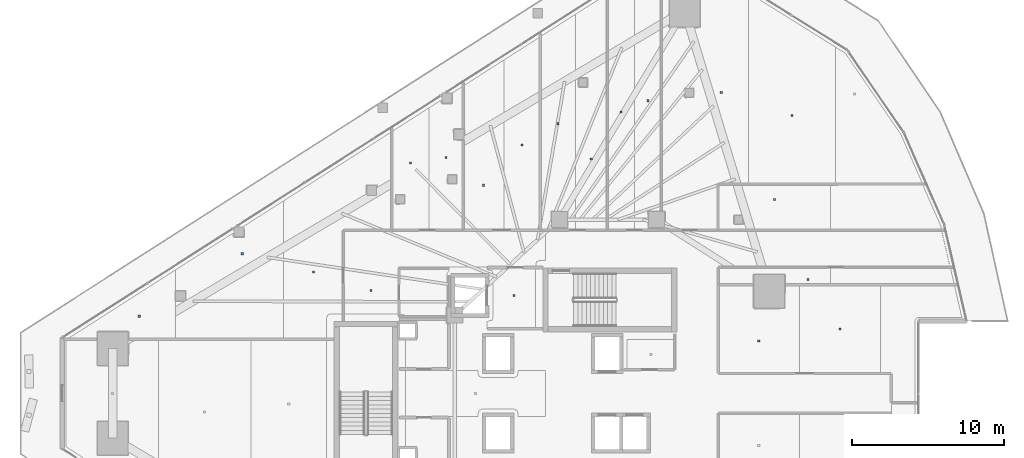
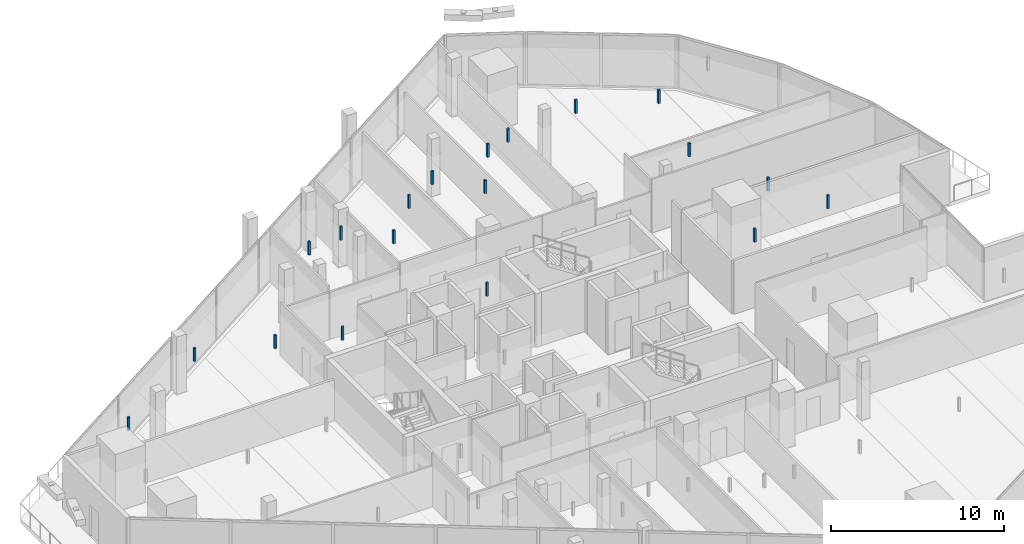
# One storey, part 31 of 39: 19 discrete accessories.
"""IFC4 building model written with IfcOpenShell, lengths in metres."""

import ifcopenshell
import ifcopenshell.guid

model = None  # the IFC model being written
_history = None  # IfcOwnerHistory: only IFC2X3 demands one
_inside = {}  # id of a spatial element -> (the spatial element, [elements in it])
_under = {}  # id of a project, library or spatial element -> (it, [spatial elements below it])
_declared = {}  # id of a project -> (the project, [libraries it declares])
_typed = {}  # id of a type object -> (the type object, [elements of that type])
_made_of = {}  # id of a material, layer set ... -> (it, [elements and type objects made of it])


def new_model(schema):
    """Start an empty IFC model of exactly this schema.

    Asked for "IFC4X3", IfcOpenShell would pick the latest addendum, in which some entities
    have other attributes; the version numbers below select the first issue.
    IFC2X3 requires an IfcOwnerHistory on every rooted entity: one is made here for all.
    """
    global model, _history
    if schema == "IFC4X3":
        model = ifcopenshell.file(schema_version=(4, 3, 0, 0))
    else:
        model = ifcopenshell.file(schema=schema)
    _inside.clear()
    _under.clear()
    _declared.clear()
    _typed.clear()
    _made_of.clear()
    _history = None
    if model.schema == "IFC2X3":
        org = make("IfcOrganization", Name="unknown")
        user = make(
            "IfcPersonAndOrganization",
            ThePerson=make("IfcPerson", FamilyName="unknown"),
            TheOrganization=org,
        )
        app = make(
            "IfcApplication",
            ApplicationDeveloper=org,
            Version="unknown",
            ApplicationFullName="unknown",
            ApplicationIdentifier="unknown",
        )
        _history = make(
            "IfcOwnerHistory",
            OwningUser=user,
            OwningApplication=app,
            ChangeAction="ADDED",
            CreationDate=0,
        )
    return model


def make(cls, **values):
    """One entity of the class cls with the attributes given. An attribute that is None is left unset."""
    return model.create_entity(
        cls, **{name: value for name, value in values.items() if value is not None}
    )


def rooted(cls, **values):
    """An entity with a GlobalId (a new one), such as an element, a storey or a relation."""
    return make(cls, GlobalId=ifcopenshell.guid.new(), OwnerHistory=_history, **values)


def si_unit(unit_type, name, prefix=None):
    """IfcSIUnit, for example si_unit("LENGTHUNIT", "METRE", prefix="MILLI")."""
    return make("IfcSIUnit", UnitType=unit_type, Prefix=prefix, Name=name)


def assignment(units):
    """IfcUnitAssignment: the units of a project."""
    return None if units is None else make("IfcUnitAssignment", Units=units)


def point(xyz):
    """IfcCartesianPoint."""
    return None if xyz is None else make("IfcCartesianPoint", Coordinates=xyz)


def direction(xyz):
    """IfcDirection."""
    return None if xyz is None else make("IfcDirection", DirectionRatios=xyz)


def frame(location, z_axis=None, x_axis=None):
    """IfcAxis2Placement3D, a coordinate frame: its origin and axes. An axis left out is left unset."""
    return make(
        "IfcAxis2Placement3D",
        Location=point(location),
        Axis=direction(z_axis),
        RefDirection=direction(x_axis),
    )


def frame_2d(location, x_axis=None):
    """IfcAxis2Placement2D, a coordinate frame in the plane: its origin and x axis."""
    return make(
        "IfcAxis2Placement2D", Location=point(location), RefDirection=direction(x_axis)
    )


def origin():
    """The frame at (0, 0, 0) with its axes left unset."""
    return frame((0.0, 0.0, 0.0))


def origin_2d():
    """The frame at (0, 0) in the plane with its x axis left unset."""
    return frame_2d((0.0, 0.0))


def place(relative_to, where):
    """IfcLocalPlacement: puts the frame where relative to a parent placement (None: the world)."""
    return make(
        "IfcLocalPlacement", PlacementRelTo=relative_to, RelativePlacement=where
    )


def context(
    kind, dimensions, precision=None, world=None, true_north=None, identifier=None
):
    """IfcGeometricRepresentationContext, for example the 3D "Model" context."""
    return make(
        "IfcGeometricRepresentationContext",
        ContextIdentifier=identifier,
        ContextType=kind,
        CoordinateSpaceDimension=dimensions,
        Precision=precision,
        WorldCoordinateSystem=world,
        TrueNorth=true_north,
    )


def subcontext(parent, identifier, kind, view, scale=None):
    """IfcGeometricRepresentationSubContext, for example "Body" below "Model"."""
    return make(
        "IfcGeometricRepresentationSubContext",
        ContextIdentifier=identifier,
        ContextType=kind,
        ParentContext=parent,
        TargetScale=scale,
        TargetView=view,
    )


def project(units=None, contexts=None):
    """IfcProject with its units and contexts."""
    return rooted(
        "IfcProject",
        Name="project",
        RepresentationContexts=contexts,
        UnitsInContext=assignment(units),
    )


def spatial(cls, under=None, at=None, **own):
    """A site, building, storey or space (cls), placed at a placement, below another one or the project."""
    s = rooted(cls, ObjectPlacement=at, **own)
    if under is not None:
        _under.setdefault(under.id(), (under, []))[1].append(s)
    return s


def profile(cls, at=None, kind="AREA", **sizes):
    """A parametric profile (cls). Its sizes go by their IFC names, for example OverallWidth=200.0."""
    return make(cls, ProfileType=kind, Position=at, **sizes)


def rectangle(**sizes):
    """IfcRectangleProfileDef."""
    return profile("IfcRectangleProfileDef", **sizes)


def extrude(swept, where, along, depth):
    """IfcExtrudedAreaSolid: the profile swept, set in the frame where, extruded along a direction by depth."""
    return make(
        "IfcExtrudedAreaSolid",
        SweptArea=swept,
        Position=where,
        ExtrudedDirection=direction(along),
        Depth=depth,
    )


def shape(context_of_items, identifier, shape_type, items):
    """IfcShapeRepresentation: the items that make up one representation, for example the "Body"."""
    return make(
        "IfcShapeRepresentation",
        ContextOfItems=context_of_items,
        RepresentationIdentifier=identifier,
        RepresentationType=shape_type,
        Items=items,
    )


def material(Name=None, Category=None):
    """IfcMaterial."""
    return make("IfcMaterial", Name=Name, Category=Category)


def made_of(thing, what):
    """Note that an element or type object is made of a material, layer set ...; save() writes the relation."""
    if what is not None:
        _made_of.setdefault(what.id(), (what, []))[1].append(thing)
    return thing


def type_object(cls, material=None, **own):
    """A type object (cls), such as IfcWallType, which elements share."""
    return made_of(rooted(cls, **own), material)


def element(
    cls,
    number,
    at=None,
    inside=None,
    cuts=None,
    type_object=None,
    material=None,
    context=None,
    identifier="Body",
    shape_type=None,
    held_by="IfcProductDefinitionShape",
    body=None,
    shapes=None,
    **own,
):
    """One element of the class cls, such as IfcWall. Its Tag is "e" and its number.

    at: its placement. inside: the storey or other place that contains it. cuts: it is an
    opening in that element (IfcRelVoidsElement). A single representation is given by context,
    identifier, shape_type and body (its items); several are given by shapes. held_by: the class
    of the entity that holds the representations. save() writes the other relations.
    """
    e = rooted(cls, Tag="e%d" % number, ObjectPlacement=at, **own)
    if body is not None:
        shapes = [shape(context, identifier, shape_type, body)]
    if shapes is not None:
        e.Representation = make(held_by, Representations=shapes)
    if inside is not None:
        _inside.setdefault(inside.id(), (inside, []))[1].append(e)
    if cuts is not None:
        rooted(
            "IfcRelVoidsElement", RelatingBuildingElement=cuts, RelatedOpeningElement=e
        )
    if type_object is not None:
        _typed.setdefault(type_object.id(), (type_object, []))[1].append(e)
    return made_of(e, material)


def aggregate(whole, parts):
    """IfcRelAggregates: a whole, such as a stair, and the parts it consists of."""
    return rooted("IfcRelAggregates", RelatingObject=whole, RelatedObjects=parts)


def save(model, path):
    """Write the relations noted so far, then the file.

    IfcRelAggregates (storeys below a building ...), IfcRelContainedInSpatialStructure (elements
    in a storey), IfcRelDefinesByType, IfcRelAssociatesMaterial and IfcRelDeclares: one each for
    every whole, place, type object, material and project.
    """
    for whole, parts in _under.values():
        aggregate(whole, parts)
    for where, things in _inside.values():
        rooted(
            "IfcRelContainedInSpatialStructure",
            RelatedElements=things,
            RelatingStructure=where,
        )
    for kind, things in _typed.values():
        rooted("IfcRelDefinesByType", RelatedObjects=things, RelatingType=kind)
    for what, things in _made_of.values():
        rooted("IfcRelAssociatesMaterial", RelatedObjects=things, RelatingMaterial=what)
    for by, libraries in _declared.values():
        rooted("IfcRelDeclares", RelatingContext=by, RelatedDefinitions=libraries)
    model.write(path)


model = new_model("IFC4")

# Units and contexts
model_context = context("Model", 3, precision=1e-05, world=origin(), true_north=direction((0.0, 1.0)))
body_context = subcontext(model_context, "Body", "Model", "MODEL_VIEW")
ifc_project = project(units=[si_unit("LENGTHUNIT", "METRE"), si_unit("AREAUNIT", "SQUARE_METRE"), si_unit("VOLUMEUNIT", "CUBIC_METRE"), si_unit("PLANEANGLEUNIT", "RADIAN"), si_unit("MASSUNIT", "GRAM", prefix="KILO")], contexts=[model_context])

# Site, building, storey
site_placement = place(None, origin())
site = spatial("IfcSite", under=ifc_project, at=site_placement, CompositionType="ELEMENT")
building_placement = place(site_placement, origin())
building = spatial("IfcBuilding", under=site, at=building_placement, Name="Qorvath Tower", CompositionType="ELEMENT")
storey_placement = place(building_placement, frame((0.0, 0.0, 162.449951171875)))
storey = spatial("IfcBuildingStorey", under=building, at=storey_placement, Name="L37", CompositionType="ELEMENT", Elevation=162.449951171875)

# Discrete accessories
ifc_material = material(Name="Galvanised steel bracket", Category="steel")
discrete_accessory_type = type_object("IfcDiscreteAccessoryType", Name="DA-BRACKET", PredefinedType="BRACKET", material=ifc_material)
for number, where, z_axis, x_axis, name in (
    (1, (-26.590087890625, 6.449951171875, 2.85986328125), (0.0, 0.0, 1.0), (1.0, 0.0, 0.0), "Acoustic Ceiling Suspension Hanger T1-L37-001"),
    (2, (-36.040283203125, 6.782470703125, 2.85986328125), (0.0, 0.0, 1.0), (1.0, 0.0, 0.0), "Acoustic Ceiling Suspension Hanger T1-L37-009"),
    (3, (-33.417724609375, 15.18359375, 2.85986328125), (0.0, 0.0, 1.0), (1.0, 0.0, 0.0), "Acoustic Ceiling Suspension Hanger T1-L37-011"),
    (4, (-31.076904296875, 15.55810546875, 2.85986328125), (0.0, 0.0, 1.0), (1.0, 0.0, 0.0), "Acoustic Ceiling Suspension Hanger T1-L37-012"),
    (5, (-28.6103515625, 13.71875, 2.85986328125), (0.0, 0.0, 1.0), (1.0, 0.0, 0.0), "Acoustic Ceiling Suspension Hanger T1-L37-013"),
    (6, (-26.06787109375, 16.365234375, 2.85986328125), (0.0, 0.0, 1.0), (1.0, 0.0, 0.0), "Acoustic Ceiling Suspension Hanger T1-L37-014"),
    (7, (-23.7001953125, 17.77001953125, 2.85986328125), (0.0, 0.0, 1.0), (1.0, 0.0, 0.0), "Acoustic Ceiling Suspension Hanger T1-L37-015"),
    (8, (-21.5068359375, 15.46142578125, 2.85986328125), (0.0, 0.0, 1.0), (1.0, 0.0, 0.0), "Acoustic Ceiling Suspension Hanger T1-L37-016"),
    (9, (-19.5478515625, 18.55029296875, 2.85986328125), (0.0, 0.0, 1.0), (1.0, 0.0, 0.0), "Acoustic Ceiling Suspension Hanger T1-L37-017"),
    (10, (-17.776123046875, 19.28955078125, 2.85986328125), (0.0, 0.0, 1.0), (1.0, 0.0, 0.0), "Acoustic Ceiling Suspension Hanger T1-L37-018"),
    (11, (-12.93408203125, 19.83935546875, 2.85986328125), (0.0, 0.0, 1.0), (1.0, 0.0, 0.0), "Acoustic Ceiling Suspension Hanger T1-L37-019"),
    (12, (-8.27099609375, 18.31396484375, 2.85986328125), (0.0, 0.0, 1.0), (1.0, 0.0, 0.0), "Acoustic Ceiling Suspension Hanger T1-L37-020"),
    (13, (-10.4599609375, 3.437255859375, 2.85986328125), (0.0, 0.0, 1.0), (1.0, 0.0, 0.0), "Acoustic Ceiling Suspension Hanger T1-L37-035"),
    (14, (-5.10595703125, 4.234619140625, 2.85986328125), (0.0, 0.0, 1.0), (1.0, 0.0, 0.0), "Acoustic Ceiling Suspension Hanger T1-L37-036"),
    (15, (-9.43310546875, 12.772216796875, 2.85986328125), (0.0, 0.0, 1.0), (1.0, 0.0, 0.0), "Acoustic Ceiling Suspension Hanger T1-L37-038"),
    (16, (-7.2197265625, 7.497802734375, 2.85986328125), (0.0, 0.0, 1.0), (1.0, 0.0, 0.0), "Acoustic Ceiling Suspension Hanger T1-L37-039"),
    (17, (-51.305908203125, 5.081787109375, 2.85986328125), (0.0, 0.0, 1.0), (1.0, 0.0, 0.0), "Acoustic Ceiling Suspension Hanger T1-L37-046"),
    (18, (-44.51953125, 9.201416015625, 2.85986328125), (0.0, 0.0, 1.0), (1.0, 0.0, 0.0), "Acoustic Ceiling Suspension Hanger T1-L37-047"),
    (19, (-39.826171875, 8.000732421875, 2.85986328125), (0.0, 0.0, 1.0), (1.0, 0.0, 0.0), "Acoustic Ceiling Suspension Hanger T1-L37-048"),
):
    element("IfcDiscreteAccessory", number, at=place(storey_placement, frame(where, z_axis=z_axis, x_axis=x_axis)), inside=storey, type_object=discrete_accessory_type, Name=name, PredefinedType="NOTDEFINED", context=body_context, shape_type="SweptSolid", body=[
        extrude(rectangle(XDim=0.139892578125, YDim=0.139892578125, at=origin_2d()), origin(), (0.0, 0.0, 1.0), 0.949951171875),
    ])

save(model, "model.ifc")
